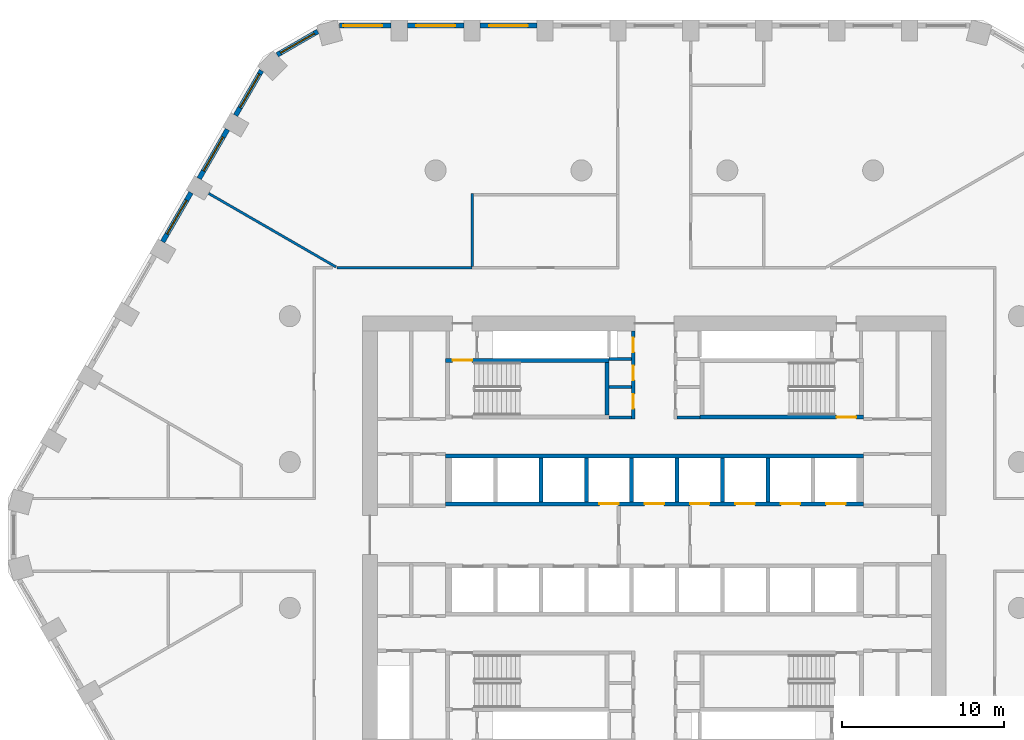
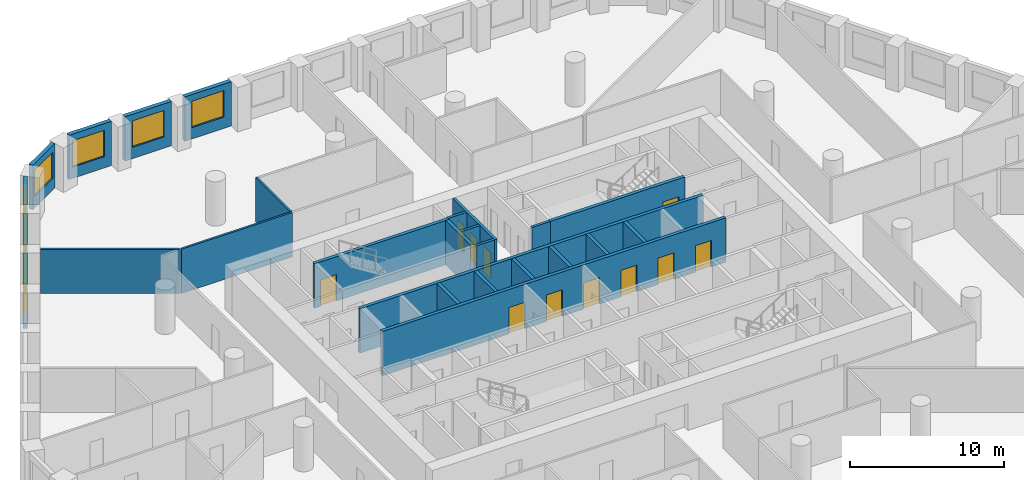
# One storey, part 6 of 10: 26 walls, 11 doors, 7 windows, 18 openings.
"""IFC4 building model written with IfcOpenShell, lengths in metres."""

from ifc_helpers import new_model, si_unit, direction, frame, frame_2d, origin, place, context, subcontext, project, spatial, polyline, rectangle, outline, extrude, material, layer, layer_set, type_object, element, fill, save


model = new_model("IFC4")

# Units and contexts
model_context = context("Model", 3, precision=1e-05, world=origin(), true_north=direction((0.0, 1.0)))
body_context = subcontext(model_context, "Body", "Model", "MODEL_VIEW")
ifc_project = project(units=[si_unit("LENGTHUNIT", "METRE"), si_unit("AREAUNIT", "SQUARE_METRE"), si_unit("VOLUMEUNIT", "CUBIC_METRE"), si_unit("PLANEANGLEUNIT", "RADIAN"), si_unit("MASSUNIT", "GRAM", prefix="KILO")], contexts=[model_context])

# Site, building, storey
site_placement = place(None, origin())
site = spatial("IfcSite", under=ifc_project, at=site_placement, CompositionType="ELEMENT")
building_placement = place(site_placement, origin())
building = spatial("IfcBuilding", under=site, at=building_placement, Name="Dhurran Vertical Campus", CompositionType="ELEMENT")
storey_placement = place(building_placement, frame((0.0, 0.0, 108.60009765625)))
storey = spatial("IfcBuildingStorey", under=building, at=storey_placement, Name="L26", CompositionType="ELEMENT", Elevation=108.60009765625)

# Wall, opening, window
ifc_material_1 = material(Name="Precast concrete C50/60", Category="concrete")
ifc_layer_1 = layer(ifc_material_1, 0.300048828125)
ifc_layer_set_1 = layer_set([ifc_layer_1], Name="Precast concrete C50/60")
wall_type_1 = type_object("IfcWallType", Name="Precast spandrel wall 300", PredefinedType="SOLIDWALL", material=ifc_layer_set_1)
wall_1_placement = place(storey_placement, frame((-7.25048828125, 31.4296875, 0.0), z_axis=(0.0, 0.0, 1.0), x_axis=(-1.0, 0.0, 0.0)))
wall_1 = element("IfcWall", 1, at=wall_1_placement, inside=storey, type_object=wall_type_1, Name="EW1 L26.32", PredefinedType="SOLIDWALL", context=body_context, shape_type="SweptSolid", body=[
    extrude(rectangle(XDim=3.4990234375, YDim=0.300048828125, at=frame_2d((1.74951171875, 0.0))), origin(), (0.0, 0.0, 1.0), 3.52490234375),
])
opening_1_placement = place(wall_1_placement, frame((0.549560546875, 0.0, 0.89990234375)))
opening_1 = element("IfcOpeningElement", 2, at=opening_1_placement, cuts=wall_1, Name="Opening WT1", PredefinedType="OPENING", context=body_context, shape_type="SweptSolid", body=[
    extrude(rectangle(XDim=2.39990234375, YDim=2.10009765625, at=frame_2d((1.199951171875, 1.050048828125))), frame((0.0, 0.159912109375, 0.0), z_axis=(0.0, -1.0, 0.0), x_axis=(1.0, 0.0, 0.0)), (0.0, 0.0, 1.0), 0.320068359375),
])
ifc_material_2 = material(Name="Aluminium frame with solar-control glass", Category="aluminium")
window_type = type_object("IfcWindowType", Name="Punched window 2400 x 2100", PartitioningType="SINGLE_PANEL", PredefinedType="WINDOW", material=ifc_material_2)
window_1_placement = place(opening_1_placement, origin())
window_1 = element("IfcWindow", 3, at=window_1_placement, inside=storey, type_object=window_type, Name="WT1 L26.32", OverallHeight=2.10009765625, OverallWidth=2.39990234375, PartitioningType="SINGLE_PANEL", PredefinedType="WINDOW", context=body_context, shape_type="SweptSolid", body=[
    extrude(rectangle(XDim=2.39990234375, YDim=2.10009765625, at=frame_2d((1.199951171875, 1.050048828125))), frame((0.0, 0.030029296875, 0.0), z_axis=(0.0, -1.0, 0.0), x_axis=(1.0, 0.0, 0.0)), (0.0, 0.0, 1.0), 0.06005859375),
])
fill(opening_1, window_1)

wall_2_placement = place(storey_placement, frame((-11.75048828125, 31.4296875, 0.0), z_axis=(0.0, 0.0, 1.0), x_axis=(-1.0, 0.0, 0.0)))
wall_2 = element("IfcWall", 4, at=wall_2_placement, inside=storey, type_object=wall_type_1, Name="EW1 L26.33", PredefinedType="SOLIDWALL", context=body_context, shape_type="SweptSolid", body=[
    extrude(rectangle(XDim=3.4990234375, YDim=0.300048828125, at=frame_2d((1.74951171875, 0.0))), origin(), (0.0, 0.0, 1.0), 3.52490234375),
])
opening_2_placement = place(wall_2_placement, frame((0.549560546875, 0.0, 0.89990234375)))
opening_2 = element("IfcOpeningElement", 5, at=opening_2_placement, cuts=wall_2, Name="Opening WT1", PredefinedType="OPENING", context=body_context, shape_type="SweptSolid", body=[
    extrude(rectangle(XDim=2.39990234375, YDim=2.10009765625, at=frame_2d((1.199951171875, 1.050048828125))), frame((0.0, 0.159912109375, 0.0), z_axis=(0.0, -1.0, 0.0), x_axis=(1.0, 0.0, 0.0)), (0.0, 0.0, 1.0), 0.320068359375),
])
window_2_placement = place(opening_2_placement, origin())
window_2 = element("IfcWindow", 6, at=window_2_placement, inside=storey, type_object=window_type, Name="WT1 L26.33", OverallHeight=2.10009765625, OverallWidth=2.39990234375, PartitioningType="SINGLE_PANEL", PredefinedType="WINDOW", context=body_context, shape_type="SweptSolid", body=[
    extrude(rectangle(XDim=2.39990234375, YDim=2.10009765625, at=frame_2d((1.199951171875, 1.050048828125))), frame((0.0, 0.030029296875, 0.0), z_axis=(0.0, -1.0, 0.0), x_axis=(1.0, 0.0, 0.0)), (0.0, 0.0, 1.0), 0.06005859375),
])
fill(opening_2, window_2)

wall_3_placement = place(storey_placement, frame((-16.25048828125, 31.4296875, 0.0), z_axis=(0.0, 0.0, 1.0), x_axis=(-1.0, 0.0, 0.0)))
wall_3 = element("IfcWall", 7, at=wall_3_placement, inside=storey, type_object=wall_type_1, Name="EW1 L26.34", PredefinedType="SOLIDWALL", context=body_context, shape_type="SweptSolid", body=[
    extrude(rectangle(XDim=3.1923828125, YDim=0.300048828125, at=frame_2d((1.59619140625, 0.0))), origin(), (0.0, 0.0, 1.0), 3.52490234375),
])
opening_3_placement = place(wall_3_placement, frame((0.549560546875, 0.0, 0.89990234375)))
opening_3 = element("IfcOpeningElement", 8, at=opening_3_placement, cuts=wall_3, Name="Opening WT1", PredefinedType="OPENING", context=body_context, shape_type="SweptSolid", body=[
    extrude(rectangle(XDim=2.39990234375, YDim=2.10009765625, at=frame_2d((1.199951171875, 1.050048828125))), frame((0.0, 0.159912109375, 0.0), z_axis=(0.0, -1.0, 0.0), x_axis=(1.0, 0.0, 0.0)), (0.0, 0.0, 1.0), 0.320068359375),
])
window_3_placement = place(opening_3_placement, origin())
window_3 = element("IfcWindow", 9, at=window_3_placement, inside=storey, type_object=window_type, Name="WT1 L26.34", OverallHeight=2.10009765625, OverallWidth=2.39990234375, PartitioningType="SINGLE_PANEL", PredefinedType="WINDOW", context=body_context, shape_type="SweptSolid", body=[
    extrude(rectangle(XDim=2.39990234375, YDim=2.10009765625, at=frame_2d((1.199951171875, 1.050048828125))), frame((0.0, 0.030029296875, 0.0), z_axis=(0.0, -1.0, 0.0), x_axis=(1.0, 0.0, 0.0)), (0.0, 0.0, 1.0), 0.06005859375),
])
fill(opening_3, window_3)

wall_4_placement = place(storey_placement, frame((-20.774169921875, 31.072998046875, 0.0), z_axis=(0.0, 0.0, 1.0), x_axis=(-0.866053149362, -0.49995194017, 0.0)))
wall_4 = element("IfcWall", 10, at=wall_4_placement, inside=storey, type_object=wall_type_1, Name="EW1 L26.35", PredefinedType="SOLIDWALL", context=body_context, shape_type="SweptSolid", body=[
    extrude(rectangle(XDim=2.885498046875, YDim=0.300048828125, at=frame_2d((1.44287109375, 0.0))), origin(), (0.0, 0.0, 1.0), 3.52490234375),
])
opening_4_placement = place(wall_4_placement, frame((0.242919921875, 0.0, 0.89990234375)))
opening_4 = element("IfcOpeningElement", 11, at=opening_4_placement, cuts=wall_4, Name="Opening WT1", PredefinedType="OPENING", context=body_context, shape_type="SweptSolid", body=[
    extrude(rectangle(XDim=2.39990234375, YDim=2.10009765625, at=frame_2d((1.199951171875, 1.050048828125))), frame((0.0, 0.159912109375, 0.0), z_axis=(0.0, -1.0, 0.0), x_axis=(1.0, 0.0, 0.0)), (0.0, 0.0, 1.0), 0.320068359375),
])
window_4_placement = place(opening_4_placement, origin())
window_4 = element("IfcWindow", 12, at=window_4_placement, inside=storey, type_object=window_type, Name="WT1 L26.35", OverallHeight=2.10009765625, OverallWidth=2.39990234375, PartitioningType="SINGLE_PANEL", PredefinedType="WINDOW", context=body_context, shape_type="SweptSolid", body=[
    extrude(rectangle(XDim=2.39990234375, YDim=2.10009765625, at=frame_2d((1.199951171875, 1.050048828125))), frame((0.0, 0.030029296875, 0.0), z_axis=(0.0, -1.0, 0.0), x_axis=(1.0, 0.0, 0.0)), (0.0, 0.0, 1.0), 0.06005859375),
])
fill(opening_4, window_4)

wall_5_placement = place(storey_placement, frame((-24.24755859375, 28.65576171875, 0.0), z_axis=(0.0, 0.0, 1.0), x_axis=(-0.500004907028, -0.866022570692, 0.0)))
wall_5 = element("IfcWall", 13, at=wall_5_placement, inside=storey, type_object=wall_type_1, Name="EW1 L26.36", PredefinedType="SOLIDWALL", context=body_context, shape_type="SweptSolid", body=[
    extrude(rectangle(XDim=3.1923828125, YDim=0.300048828125, at=frame_2d((1.59619140625, 0.0))), origin(), (0.0, 0.0, 1.0), 3.52490234375),
])
opening_5_placement = place(wall_5_placement, frame((0.242919921875, 0.0, 0.89990234375)))
opening_5 = element("IfcOpeningElement", 14, at=opening_5_placement, cuts=wall_5, Name="Opening WT1", PredefinedType="OPENING", context=body_context, shape_type="SweptSolid", body=[
    extrude(rectangle(XDim=2.39990234375, YDim=2.10009765625, at=frame_2d((1.199951171875, 1.050048828125))), frame((0.0, 0.159912109375, 0.0), z_axis=(0.0, -1.0, 0.0), x_axis=(1.0, 0.0, 0.0)), (0.0, 0.0, 1.0), 0.320068359375),
])
window_5_placement = place(opening_5_placement, origin())
window_5 = element("IfcWindow", 15, at=window_5_placement, inside=storey, type_object=window_type, Name="WT1 L26.36", OverallHeight=2.10009765625, OverallWidth=2.39990234375, PartitioningType="SINGLE_PANEL", PredefinedType="WINDOW", context=body_context, shape_type="SweptSolid", body=[
    extrude(rectangle(XDim=2.39990234375, YDim=2.10009765625, at=frame_2d((1.199951171875, 1.050048828125))), frame((0.0, 0.030029296875, 0.0), z_axis=(0.0, -1.0, 0.0), x_axis=(1.0, 0.0, 0.0)), (0.0, 0.0, 1.0), 0.06005859375),
])
fill(opening_5, window_5)

wall_6_placement = place(storey_placement, frame((-26.34423828125, 25.024169921875, 0.0), z_axis=(0.0, 0.0, 1.0), x_axis=(-0.499996256241, -0.866027565234, 0.0)))
wall_6 = element("IfcWall", 16, at=wall_6_placement, inside=storey, type_object=wall_type_1, Name="EW1 L26.37", PredefinedType="SOLIDWALL", context=body_context, shape_type="SweptSolid", body=[
    extrude(rectangle(XDim=3.4990234375, YDim=0.300048828125, at=frame_2d((1.74951171875, 0.0))), origin(), (0.0, 0.0, 1.0), 3.52490234375),
])
opening_6_placement = place(wall_6_placement, frame((0.549560546875, 0.0, 0.89990234375)))
opening_6 = element("IfcOpeningElement", 17, at=opening_6_placement, cuts=wall_6, Name="Opening WT1", PredefinedType="OPENING", context=body_context, shape_type="SweptSolid", body=[
    extrude(rectangle(XDim=2.39990234375, YDim=2.10009765625, at=frame_2d((1.199951171875, 1.050048828125))), frame((0.0, 0.159912109375, 0.0), z_axis=(0.0, -1.0, 0.0), x_axis=(1.0, 0.0, 0.0)), (0.0, 0.0, 1.0), 0.320068359375),
])
window_6_placement = place(opening_6_placement, origin())
window_6 = element("IfcWindow", 18, at=window_6_placement, inside=storey, type_object=window_type, Name="WT1 L26.37", OverallHeight=2.10009765625, OverallWidth=2.39990234375, PartitioningType="SINGLE_PANEL", PredefinedType="WINDOW", context=body_context, shape_type="SweptSolid", body=[
    extrude(rectangle(XDim=2.39990234375, YDim=2.10009765625, at=frame_2d((1.199951171875, 1.050048828125))), frame((0.0, 0.030029296875, 0.0), z_axis=(0.0, -1.0, 0.0), x_axis=(1.0, 0.0, 0.0)), (0.0, 0.0, 1.0), 0.06005859375),
])
fill(opening_6, window_6)

wall_7_placement = place(storey_placement, frame((-28.59423828125, 21.127197265625, 0.0), z_axis=(0.0, 0.0, 1.0), x_axis=(-0.499996256241, -0.866027565234, 0.0)))
wall_7 = element("IfcWall", 19, at=wall_7_placement, inside=storey, type_object=wall_type_1, Name="EW1 L26.38", PredefinedType="SOLIDWALL", context=body_context, shape_type="SweptSolid", body=[
    extrude(rectangle(XDim=3.4990234375, YDim=0.300048828125, at=frame_2d((1.74951171875, 0.0))), origin(), (0.0, 0.0, 1.0), 3.52490234375),
])
opening_7_placement = place(wall_7_placement, frame((0.549560546875, 0.0, 0.89990234375)))
opening_7 = element("IfcOpeningElement", 20, at=opening_7_placement, cuts=wall_7, Name="Opening WT1", PredefinedType="OPENING", context=body_context, shape_type="SweptSolid", body=[
    extrude(rectangle(XDim=2.39990234375, YDim=2.10009765625, at=frame_2d((1.199951171875, 1.050048828125))), frame((0.0, 0.159912109375, 0.0), z_axis=(0.0, -1.0, 0.0), x_axis=(1.0, 0.0, 0.0)), (0.0, 0.0, 1.0), 0.320068359375),
])
window_7_placement = place(opening_7_placement, origin())
window_7 = element("IfcWindow", 21, at=window_7_placement, inside=storey, type_object=window_type, Name="WT1 L26.38", OverallHeight=2.10009765625, OverallWidth=2.39990234375, PartitioningType="SINGLE_PANEL", PredefinedType="WINDOW", context=body_context, shape_type="SweptSolid", body=[
    extrude(rectangle(XDim=2.39990234375, YDim=2.10009765625, at=frame_2d((1.199951171875, 1.050048828125))), frame((0.0, 0.030029296875, 0.0), z_axis=(0.0, -1.0, 0.0), x_axis=(1.0, 0.0, 0.0)), (0.0, 0.0, 1.0), 0.06005859375),
])
fill(opening_7, window_7)

# Walls
ifc_material_3 = material(Name="Fire-rated masonry blockwork", Category="masonry")
ifc_layer_2 = layer(ifc_material_3, 0.199951171875)
ifc_layer_set_2 = layer_set([ifc_layer_2], Name="Fire-rated masonry blockwork")
wall_type_2 = type_object("IfcWallType", Name="co-FIRE-PARTITION-200", PredefinedType="PARTITIONING", material=ifc_layer_set_2)
for number, where, z_axis, x_axis, name in (
    (22, (-2.800048828125, 7.25, 0.0), (0.0, 0.0, 1.0), (1.0, 0.0, 0.0), "Core partition sl-NW-S L26"),
    (23, (-2.800048828125, 9.135009765625, 0.0), (0.0, 0.0, 1.0), (1.0, 0.0, 0.0), "Core partition sl-NW-cut0 L26"),
    (24, (-2.800048828125, 10.867431640625, 0.0), (0.0, 0.0, 1.0), (1.0, 0.0, 0.0), "Core partition sl-NW-cut1 L26"),
    (25, (1.39990234375, 7.25, 0.0), (0.0, 0.0, 1.0), (1.0, 0.0, 0.0), "Core partition sl-NE-S L26"),
):
    element("IfcWall", number, at=place(storey_placement, frame(where, z_axis=z_axis, x_axis=x_axis)), inside=storey, type_object=wall_type_2, Name=name, PredefinedType="PARTITIONING", context=body_context, shape_type="SweptSolid", body=[
        extrude(rectangle(XDim=1.400146484375, YDim=0.199951171875, at=frame_2d((0.7001953125, 0.0))), origin(), (0.0, 0.0, 1.0), 3.52490234375),
    ])

# Wall, openings, doors
wall_8_placement = place(storey_placement, frame((-1.300048828125, 7.14990234375, 0.0), z_axis=(0.0, 0.0, 1.0), x_axis=(0.0, 1.0, 0.0)))
wall_8 = element("IfcWall", 26, at=wall_8_placement, inside=storey, type_object=wall_type_2, Name="Core partition vest-NW L26", PredefinedType="PARTITIONING", context=body_context, shape_type="SweptSolid", body=[
    extrude(rectangle(XDim=5.4501953125, YDim=0.199951171875, at=frame_2d((2.72509765625, 0.0))), origin(), (0.0, 0.0, 1.0), 3.52490234375),
])
opening_8_placement = place(wall_8_placement, frame((0.642578125, 0.0, 0.0)))
opening_8 = element("IfcOpeningElement", 27, at=opening_8_placement, cuts=wall_8, Name="Opening T07-C7", PredefinedType="OPENING", context=body_context, shape_type="SweptSolid", body=[
    extrude(rectangle(XDim=0.89990234375, YDim=2.10009765625, at=frame_2d((0.449951171875, 1.050048828125))), frame((0.0, 0.10986328125, 0.0), z_axis=(0.0, -1.0, 0.0), x_axis=(1.0, 0.0, 0.0)), (0.0, 0.0, 1.0), 0.219970703125),
])
opening_9_placement = place(wall_8_placement, frame((2.401123046875, 0.0, 0.0)))
opening_9 = element("IfcOpeningElement", 28, at=opening_9_placement, cuts=wall_8, Name="Opening T07-C8", PredefinedType="OPENING", context=body_context, shape_type="SweptSolid", body=[
    extrude(rectangle(XDim=0.89990234375, YDim=2.10009765625, at=frame_2d((0.449951171875, 1.050048828125))), frame((0.0, 0.10986328125, 0.0), z_axis=(0.0, -1.0, 0.0), x_axis=(1.0, 0.0, 0.0)), (0.0, 0.0, 1.0), 0.219970703125),
])
opening_10_placement = place(wall_8_placement, frame((4.1337890625, 0.0, 0.0)))
opening_10 = element("IfcOpeningElement", 29, at=opening_10_placement, cuts=wall_8, Name="Opening T07-C9", PredefinedType="OPENING", context=body_context, shape_type="SweptSolid", body=[
    extrude(rectangle(XDim=0.89990234375, YDim=2.10009765625, at=frame_2d((0.449951171875, 1.050048828125))), frame((0.0, 0.10986328125, 0.0), z_axis=(0.0, -1.0, 0.0), x_axis=(1.0, 0.0, 0.0)), (0.0, 0.0, 1.0), 0.219970703125),
])
ifc_material_4 = material(Name="Fire-rated timber door set", Category="wood")
door_type_1 = type_object("IfcDoorType", Name="co-D-ROOM 900x2100", OperationType="SINGLE_SWING_LEFT", PredefinedType="DOOR", material=ifc_material_4)
door_1_placement = place(opening_8_placement, origin())
door_1 = element("IfcDoor", 30, at=door_1_placement, inside=storey, type_object=door_type_1, Name="Plant room door L26", OperationType="SINGLE_SWING_LEFT", OverallHeight=2.10009765625, OverallWidth=0.89990234375, PredefinedType="DOOR", context=body_context, shape_type="SweptSolid", body=[
    extrude(rectangle(XDim=0.89990234375, YDim=2.10009765625, at=frame_2d((0.449951171875, 1.050048828125))), frame((0.0, 0.02490234375, 0.0), z_axis=(0.0, -1.0, 0.0), x_axis=(1.0, 0.0, 0.0)), (0.0, 0.0, 1.0), 0.050048828125),
])
fill(opening_8, door_1)
door_2_placement = place(opening_9_placement, origin())
door_2 = element("IfcDoor", 31, at=door_2_placement, inside=storey, type_object=door_type_1, Name="Communications room door L26", OperationType="SINGLE_SWING_LEFT", OverallHeight=2.10009765625, OverallWidth=0.89990234375, PredefinedType="DOOR", context=body_context, shape_type="SweptSolid", body=[
    extrude(rectangle(XDim=0.89990234375, YDim=2.10009765625, at=frame_2d((0.449951171875, 1.050048828125))), frame((0.0, 0.02490234375, 0.0), z_axis=(0.0, -1.0, 0.0), x_axis=(1.0, 0.0, 0.0)), (0.0, 0.0, 1.0), 0.050048828125),
])
fill(opening_9, door_2)
door_3_placement = place(opening_10_placement, origin())
door_3 = element("IfcDoor", 32, at=door_3_placement, inside=storey, type_object=door_type_1, Name="Water riser door L26", OperationType="SINGLE_SWING_LEFT", OverallHeight=2.10009765625, OverallWidth=0.89990234375, PredefinedType="DOOR", context=body_context, shape_type="SweptSolid", body=[
    extrude(rectangle(XDim=0.89990234375, YDim=2.10009765625, at=frame_2d((0.449951171875, 1.050048828125))), frame((0.0, 0.02490234375, 0.0), z_axis=(0.0, -1.0, 0.0), x_axis=(1.0, 0.0, 0.0)), (0.0, 0.0, 1.0), 0.050048828125),
])
fill(opening_10, door_3)

ifc_material_5 = material(Name="Concrete C50/60", Category="concrete")
ifc_layer_3 = layer(ifc_material_5, 0.25)
ifc_layer_set_3 = layer_set([ifc_layer_3], Name="Concrete C50/60")
wall_type_3 = type_object("IfcWallType", Name="co-SHAFT-FRONT-250", PredefinedType="SHEAR", material=ifc_layer_set_3)
wall_9_placement = place(storey_placement, frame((-12.89990234375, 1.925048828125, 0.0), z_axis=(0.0, 0.0, 1.0), x_axis=(1.0, 0.0, 0.0)))
wall_9 = element("IfcWall", 33, at=wall_9_placement, inside=storey, type_object=wall_type_3, Name="Lift landing wall N L26", PredefinedType="SHEAR", context=body_context, shape_type="SweptSolid", body=[
    extrude(rectangle(XDim=25.7998046875, YDim=0.25, at=frame_2d((12.89990234375, 0.0))), origin(), (0.0, 0.0, 1.0), 3.52490234375),
])
opening_11_placement = place(wall_9_placement, frame((9.5, 0.0, 0.0)))
opening_11 = element("IfcOpeningElement", 34, at=opening_11_placement, cuts=wall_9, Name="Opening LD", PredefinedType="OPENING", context=body_context, shape_type="SweptSolid", body=[
    extrude(rectangle(XDim=1.199951171875, YDim=2.10009765625, at=frame_2d((0.60009765625, 1.050048828125))), frame((0.0, 0.135009765625, 0.0), z_axis=(0.0, -1.0, 0.0), x_axis=(1.0, 0.0, 0.0)), (0.0, 0.0, 1.0), 0.27001953125),
])
opening_12_placement = place(wall_9_placement, frame((12.300048828125, 0.0, 0.0)))
opening_12 = element("IfcOpeningElement", 35, at=opening_12_placement, cuts=wall_9, Name="Opening LD", PredefinedType="OPENING", context=body_context, shape_type="SweptSolid", body=[
    extrude(rectangle(XDim=1.199951171875, YDim=2.10009765625, at=frame_2d((0.60009765625, 1.050048828125))), frame((0.0, 0.135009765625, 0.0), z_axis=(0.0, -1.0, 0.0), x_axis=(1.0, 0.0, 0.0)), (0.0, 0.0, 1.0), 0.27001953125),
])
opening_13_placement = place(wall_9_placement, frame((15.10009765625, 0.0, 0.0)))
opening_13 = element("IfcOpeningElement", 36, at=opening_13_placement, cuts=wall_9, Name="Opening LD", PredefinedType="OPENING", context=body_context, shape_type="SweptSolid", body=[
    extrude(rectangle(XDim=1.199951171875, YDim=2.10009765625, at=frame_2d((0.60009765625, 1.050048828125))), frame((0.0, 0.135009765625, 0.0), z_axis=(0.0, -1.0, 0.0), x_axis=(1.0, 0.0, 0.0)), (0.0, 0.0, 1.0), 0.27001953125),
])
opening_14_placement = place(wall_9_placement, frame((17.89990234375, 0.0, 0.0)))
opening_14 = element("IfcOpeningElement", 37, at=opening_14_placement, cuts=wall_9, Name="Opening LD", PredefinedType="OPENING", context=body_context, shape_type="SweptSolid", body=[
    extrude(rectangle(XDim=1.199951171875, YDim=2.10009765625, at=frame_2d((0.60009765625, 1.050048828125))), frame((0.0, 0.135009765625, 0.0), z_axis=(0.0, -1.0, 0.0), x_axis=(1.0, 0.0, 0.0)), (0.0, 0.0, 1.0), 0.27001953125),
])
opening_15_placement = place(wall_9_placement, frame((20.699951171875, 0.0, 0.0)))
opening_15 = element("IfcOpeningElement", 38, at=opening_15_placement, cuts=wall_9, Name="Opening LD", PredefinedType="OPENING", context=body_context, shape_type="SweptSolid", body=[
    extrude(rectangle(XDim=1.199951171875, YDim=2.10009765625, at=frame_2d((0.60009765625, 1.050048828125))), frame((0.0, 0.135009765625, 0.0), z_axis=(0.0, -1.0, 0.0), x_axis=(1.0, 0.0, 0.0)), (0.0, 0.0, 1.0), 0.27001953125),
])
opening_16_placement = place(wall_9_placement, frame((23.5, 0.0, 0.0)))
opening_16 = element("IfcOpeningElement", 39, at=opening_16_placement, cuts=wall_9, Name="Opening LD", PredefinedType="OPENING", context=body_context, shape_type="SweptSolid", body=[
    extrude(rectangle(XDim=1.199951171875, YDim=2.10009765625, at=frame_2d((0.60009765625, 1.050048828125))), frame((0.0, 0.135009765625, 0.0), z_axis=(0.0, -1.0, 0.0), x_axis=(1.0, 0.0, 0.0)), (0.0, 0.0, 1.0), 0.27001953125),
])
ifc_material_6 = material(Name="Stainless steel landing door", Category="steel")
door_type_2 = type_object("IfcDoorType", Name="co-D-LANDING 1200x2100", OperationType="DOUBLE_DOOR_SLIDING", PredefinedType="DOOR", material=ifc_material_6)
door_4_placement = place(opening_11_placement, origin())
door_4 = element("IfcDoor", 40, at=door_4_placement, inside=storey, type_object=door_type_2, Name="Landing door LR1 L26", OperationType="DOUBLE_DOOR_SLIDING", OverallHeight=2.10009765625, OverallWidth=1.199951171875, PredefinedType="DOOR", context=body_context, shape_type="SweptSolid", body=[
    extrude(rectangle(XDim=1.199951171875, YDim=2.10009765625, at=frame_2d((0.60009765625, 1.050048828125))), frame((0.0, 0.02490234375, 0.0), z_axis=(0.0, -1.0, 0.0), x_axis=(1.0, 0.0, 0.0)), (0.0, 0.0, 1.0), 0.050048828125),
])
fill(opening_11, door_4)
door_5_placement = place(opening_12_placement, origin())
door_5 = element("IfcDoor", 41, at=door_5_placement, inside=storey, type_object=door_type_2, Name="Landing door FF1 L26", OperationType="DOUBLE_DOOR_SLIDING", OverallHeight=2.10009765625, OverallWidth=1.199951171875, PredefinedType="DOOR", context=body_context, shape_type="SweptSolid", body=[
    extrude(rectangle(XDim=1.199951171875, YDim=2.10009765625, at=frame_2d((0.60009765625, 1.050048828125))), frame((0.0, 0.02490234375, 0.0), z_axis=(0.0, -1.0, 0.0), x_axis=(1.0, 0.0, 0.0)), (0.0, 0.0, 1.0), 0.050048828125),
])
fill(opening_12, door_5)
door_6_placement = place(opening_13_placement, origin())
door_6 = element("IfcDoor", 42, at=door_6_placement, inside=storey, type_object=door_type_2, Name="Landing door LR2 L26", OperationType="DOUBLE_DOOR_SLIDING", OverallHeight=2.10009765625, OverallWidth=1.199951171875, PredefinedType="DOOR", context=body_context, shape_type="SweptSolid", body=[
    extrude(rectangle(XDim=1.199951171875, YDim=2.10009765625, at=frame_2d((0.60009765625, 1.050048828125))), frame((0.0, 0.02490234375, 0.0), z_axis=(0.0, -1.0, 0.0), x_axis=(1.0, 0.0, 0.0)), (0.0, 0.0, 1.0), 0.050048828125),
])
fill(opening_13, door_6)
door_7_placement = place(opening_14_placement, origin())
door_7 = element("IfcDoor", 43, at=door_7_placement, inside=storey, type_object=door_type_2, Name="Landing door LR3 L26", OperationType="DOUBLE_DOOR_SLIDING", OverallHeight=2.10009765625, OverallWidth=1.199951171875, PredefinedType="DOOR", context=body_context, shape_type="SweptSolid", body=[
    extrude(rectangle(XDim=1.199951171875, YDim=2.10009765625, at=frame_2d((0.60009765625, 1.050048828125))), frame((0.0, 0.02490234375, 0.0), z_axis=(0.0, -1.0, 0.0), x_axis=(1.0, 0.0, 0.0)), (0.0, 0.0, 1.0), 0.050048828125),
])
fill(opening_14, door_7)
door_8_placement = place(opening_15_placement, origin())
door_8 = element("IfcDoor", 44, at=door_8_placement, inside=storey, type_object=door_type_2, Name="Landing door LR4 L26", OperationType="DOUBLE_DOOR_SLIDING", OverallHeight=2.10009765625, OverallWidth=1.199951171875, PredefinedType="DOOR", context=body_context, shape_type="SweptSolid", body=[
    extrude(rectangle(XDim=1.199951171875, YDim=2.10009765625, at=frame_2d((0.60009765625, 1.050048828125))), frame((0.0, 0.02490234375, 0.0), z_axis=(0.0, -1.0, 0.0), x_axis=(1.0, 0.0, 0.0)), (0.0, 0.0, 1.0), 0.050048828125),
])
fill(opening_15, door_8)
door_9_placement = place(opening_16_placement, origin())
door_9 = element("IfcDoor", 45, at=door_9_placement, inside=storey, type_object=door_type_2, Name="Landing door SV2 L26", OperationType="DOUBLE_DOOR_SLIDING", OverallHeight=2.10009765625, OverallWidth=1.199951171875, PredefinedType="DOOR", context=body_context, shape_type="SweptSolid", body=[
    extrude(rectangle(XDim=1.199951171875, YDim=2.10009765625, at=frame_2d((0.60009765625, 1.050048828125))), frame((0.0, 0.02490234375, 0.0), z_axis=(0.0, -1.0, 0.0), x_axis=(1.0, 0.0, 0.0)), (0.0, 0.0, 1.0), 0.050048828125),
])
fill(opening_16, door_9)

# Walls
ifc_material_7 = material(Name="Concrete C50/60", Category="concrete")
ifc_layer_4 = layer(ifc_material_7, 0.25)
ifc_layer_set_4 = layer_set([ifc_layer_4], Name="Concrete C50/60")
wall_type_4 = type_object("IfcWallType", Name="co-SHAFT-MASS-250", PredefinedType="SHEAR", material=ifc_layer_set_4)
wall_10_placement = place(storey_placement, origin())
element("IfcWall", 46, at=wall_10_placement, inside=storey, type_object=wall_type_4, Name="Lift shaft wall N L26 1", PredefinedType="SHEAR", context=body_context, shape_type="SweptSolid", body=[
    extrude(outline(polyline([(-12.89990234375, 4.75), (12.89990234375, 4.75), (12.89990234375, 5.0), (-12.89990234375, 5.0), (-12.89990234375, 4.75)])), origin(), (0.0, 0.0, 1.0), 3.52490234375),
])
wall_11_placement = place(storey_placement, origin())
element("IfcWall", 47, at=wall_11_placement, inside=storey, type_object=wall_type_4, Name="Lift shaft wall N L26 4", PredefinedType="SHEAR", context=body_context, shape_type="SweptSolid", body=[
    extrude(outline(polyline([(-7.125, 2.050048828125), (-6.875, 2.050048828125), (-6.875, 4.75), (-7.125, 4.75), (-7.125, 2.050048828125)])), origin(), (0.0, 0.0, 1.0), 3.52490234375),
])
wall_12_placement = place(storey_placement, origin())
element("IfcWall", 48, at=wall_12_placement, inside=storey, type_object=wall_type_4, Name="Lift shaft wall N L26 5", PredefinedType="SHEAR", context=body_context, shape_type="SweptSolid", body=[
    extrude(outline(polyline([(-4.324951171875, 2.050048828125), (-4.074951171875, 2.050048828125), (-4.074951171875, 4.75), (-4.324951171875, 4.75), (-4.324951171875, 2.050048828125)])), origin(), (0.0, 0.0, 1.0), 3.52490234375),
])
wall_13_placement = place(storey_placement, origin())
element("IfcWall", 49, at=wall_13_placement, inside=storey, type_object=wall_type_4, Name="Lift shaft wall N L26 6", PredefinedType="SHEAR", context=body_context, shape_type="SweptSolid", body=[
    extrude(outline(polyline([(-1.52490234375, 2.050048828125), (-1.27490234375, 2.050048828125), (-1.27490234375, 4.75), (-1.52490234375, 4.75), (-1.52490234375, 2.050048828125)])), origin(), (0.0, 0.0, 1.0), 3.52490234375),
])
wall_14_placement = place(storey_placement, origin())
element("IfcWall", 50, at=wall_14_placement, inside=storey, type_object=wall_type_4, Name="Lift shaft wall N L26 7", PredefinedType="SHEAR", context=body_context, shape_type="SweptSolid", body=[
    extrude(outline(polyline([(1.27490234375, 2.050048828125), (1.52490234375, 2.050048828125), (1.52490234375, 4.75), (1.27490234375, 4.75), (1.27490234375, 2.050048828125)])), origin(), (0.0, 0.0, 1.0), 3.52490234375),
])
wall_15_placement = place(storey_placement, origin())
element("IfcWall", 51, at=wall_15_placement, inside=storey, type_object=wall_type_4, Name="Lift shaft wall N L26 8", PredefinedType="SHEAR", context=body_context, shape_type="SweptSolid", body=[
    extrude(outline(polyline([(4.074951171875, 2.050048828125), (4.324951171875, 2.050048828125), (4.324951171875, 4.75), (4.074951171875, 4.75), (4.074951171875, 2.050048828125)])), origin(), (0.0, 0.0, 1.0), 3.52490234375),
])
wall_16_placement = place(storey_placement, origin())
element("IfcWall", 52, at=wall_16_placement, inside=storey, type_object=wall_type_4, Name="Lift shaft wall N L26 9", PredefinedType="SHEAR", context=body_context, shape_type="SweptSolid", body=[
    extrude(outline(polyline([(6.875, 2.050048828125), (7.125, 2.050048828125), (7.125, 4.75), (6.875, 4.75), (6.875, 2.050048828125)])), origin(), (0.0, 0.0, 1.0), 3.52490234375),
])

# Wall, opening, door
ifc_material_8 = material(Name="Concrete C40/50", Category="concrete")
ifc_layer_5 = layer(ifc_material_8, 0.25)
ifc_layer_set_5 = layer_set([ifc_layer_5], Name="Concrete C40/50")
wall_type_5 = type_object("IfcWallType", Name="co-STAIR-WALL-250", PredefinedType="SHEAR", material=ifc_layer_set_5)
wall_17_placement = place(storey_placement, frame((-12.89990234375, 10.77490234375, 0.0), z_axis=(0.0, 0.0, 1.0), x_axis=(1.0, 0.0, 0.0)))
wall_17 = element("IfcWall", 53, at=wall_17_placement, inside=storey, type_object=wall_type_5, Name="Stair ST1 enclosure wall L26", PredefinedType="SHEAR", context=body_context, shape_type="SweptSolid", body=[
    extrude(rectangle(XDim=10.099853515625, YDim=0.25, at=frame_2d((5.0498046875, 0.0))), origin(), (0.0, 0.0, 1.0), 3.52490234375),
])
opening_17_placement = place(wall_17_placement, frame((0.449951171875, 0.0, 0.0)))
opening_17 = element("IfcOpeningElement", 54, at=opening_17_placement, cuts=wall_17, Name="Opening XS1", PredefinedType="OPENING", context=body_context, shape_type="SweptSolid", body=[
    extrude(rectangle(XDim=1.199951171875, YDim=2.10009765625, at=frame_2d((0.60009765625, 1.050048828125))), frame((0.0, 0.135009765625, 0.0), z_axis=(0.0, -1.0, 0.0), x_axis=(1.0, 0.0, 0.0)), (0.0, 0.0, 1.0), 0.27001953125),
])
ifc_material_9 = material(Name="Fire-rated steel door set", Category="steel")
door_type_3 = type_object("IfcDoorType", Name="co-D-STAIR-EXIT 1200x2100", OperationType="SINGLE_SWING_RIGHT", PredefinedType="DOOR", material=ifc_material_9)
door_10_placement = place(opening_17_placement, origin())
door_10 = element("IfcDoor", 55, at=door_10_placement, inside=storey, type_object=door_type_3, Name="Stair ST1 discharge door L26", OperationType="SINGLE_SWING_RIGHT", OverallHeight=2.10009765625, OverallWidth=1.199951171875, PredefinedType="DOOR", context=body_context, shape_type="SweptSolid", body=[
    extrude(rectangle(XDim=1.199951171875, YDim=2.10009765625, at=frame_2d((0.60009765625, 1.050048828125))), frame((0.0, 0.02490234375, 0.0), z_axis=(0.0, -1.0, 0.0), x_axis=(1.0, 0.0, 0.0)), (0.0, 0.0, 1.0), 0.050048828125),
])
fill(opening_17, door_10)

# Wall
wall_18_placement = place(storey_placement, frame((-2.925048828125, 7.39990234375, 0.0), z_axis=(0.0, 0.0, 1.0), x_axis=(0.0, 1.0, 0.0)))
element("IfcWall", 56, at=wall_18_placement, inside=storey, type_object=wall_type_5, Name="Stair ST1 enclosure wall L26", PredefinedType="SHEAR", context=body_context, shape_type="SweptSolid", body=[
    extrude(rectangle(XDim=3.25, YDim=0.25, at=frame_2d((1.625, 0.0))), origin(), (0.0, 0.0, 1.0), 3.52490234375),
])

# Wall, opening, door
wall_19_placement = place(storey_placement, frame((2.800048828125, 7.27490234375, 0.0), z_axis=(0.0, 0.0, 1.0), x_axis=(1.0, 0.0, 0.0)))
wall_19 = element("IfcWall", 57, at=wall_19_placement, inside=storey, type_object=wall_type_5, Name="Stair ST2 enclosure wall L26", PredefinedType="SHEAR", context=body_context, shape_type="SweptSolid", body=[
    extrude(rectangle(XDim=10.099853515625, YDim=0.25, at=frame_2d((5.0498046875, 0.0))), origin(), (0.0, 0.0, 1.0), 3.52490234375),
])
opening_18_placement = place(wall_19_placement, frame((8.449951171875, 0.0, 0.0)))
opening_18 = element("IfcOpeningElement", 58, at=opening_18_placement, cuts=wall_19, Name="Opening SD2", PredefinedType="OPENING", context=body_context, shape_type="SweptSolid", body=[
    extrude(rectangle(XDim=1.199951171875, YDim=2.10009765625, at=frame_2d((0.60009765625, 1.050048828125))), frame((0.0, 0.135009765625, 0.0), z_axis=(0.0, -1.0, 0.0), x_axis=(1.0, 0.0, 0.0)), (0.0, 0.0, 1.0), 0.27001953125),
])
ifc_material_10 = material(Name="Fire-rated steel door set", Category="steel")
door_type_4 = type_object("IfcDoorType", Name="co-D-STAIR 1200x2100", OperationType="SINGLE_SWING_LEFT", PredefinedType="DOOR", material=ifc_material_10)
door_11_placement = place(opening_18_placement, origin())
door_11 = element("IfcDoor", 59, at=door_11_placement, inside=storey, type_object=door_type_4, Name="Stair ST2 door L26", OperationType="SINGLE_SWING_LEFT", OverallHeight=2.10009765625, OverallWidth=1.199951171875, PredefinedType="DOOR", context=body_context, shape_type="SweptSolid", body=[
    extrude(rectangle(XDim=1.199951171875, YDim=2.10009765625, at=frame_2d((0.60009765625, 1.050048828125))), frame((0.0, 0.02490234375, 0.0), z_axis=(0.0, -1.0, 0.0), x_axis=(1.0, 0.0, 0.0)), (0.0, 0.0, 1.0), 0.050048828125),
])
fill(opening_18, door_11)

# Walls
ifc_material_11 = material(Name="Gypsum board corridor wall on steel studs", Category="steel")
ifc_layer_6 = layer(ifc_material_11, 0.14990234375)
ifc_layer_set_6 = layer_set([ifc_layer_6], Name="Gypsum board corridor wall on steel studs")
wall_type_6 = type_object("IfcWallType", Name="fl-CW-150 corridor wall", PredefinedType="PARTITIONING", material=ifc_layer_set_6)
wall_20_placement = place(storey_placement, frame((-11.25, 16.5, 0.0), z_axis=(0.0, 0.0, 1.0), x_axis=(-1.0, 0.0, 0.0)))
element("IfcWall", 60, at=wall_20_placement, inside=storey, type_object=wall_type_6, Name="Partition 26-22", PredefinedType="PARTITIONING", context=body_context, shape_type="SweptSolid", body=[
    extrude(rectangle(XDim=8.3291015625, YDim=0.14990234375, at=frame_2d((4.16455078125, 0.0))), origin(), (0.0, 0.0, 1.0), 3.52490234375),
])
ifc_material_12 = material(Name="Gypsum board partition on steel studs", Category="steel")
ifc_layer_7 = layer(ifc_material_12, 0.14990234375)
ifc_layer_set_7 = layer_set([ifc_layer_7], Name="Gypsum board partition on steel studs")
wall_type_7 = type_object("IfcWallType", Name="fl-PW-150 fixed partition", PredefinedType="PARTITIONING", material=ifc_layer_set_7)
wall_21_placement = place(storey_placement, frame((-27.503662109375, 21.075927734375, 0.0), z_axis=(0.0, 0.0, 1.0), x_axis=(0.866004606565, -0.500036020111, 0.0)))
element("IfcWall", 61, at=wall_21_placement, inside=storey, type_object=wall_type_7, Name="Partition 26-12", PredefinedType="PARTITIONING", context=body_context, shape_type="SweptSolid", body=[
    extrude(rectangle(XDim=9.075927734375, YDim=0.14990234375, at=frame_2d((4.5380859375, 0.0))), origin(), (0.0, 0.0, 1.0), 3.52490234375),
])
wall_22_placement = place(storey_placement, frame((-11.25, 21.074951171875, 0.0), z_axis=(0.0, 0.0, 1.0), x_axis=(0.0, -1.0, 0.0)))
element("IfcWall", 62, at=wall_22_placement, inside=storey, type_object=wall_type_7, Name="Partition 26-26", PredefinedType="PARTITIONING", context=body_context, shape_type="SweptSolid", body=[
    extrude(rectangle(XDim=4.5, YDim=0.14990234375, at=frame_2d((2.25, 0.0))), origin(), (0.0, 0.0, 1.0), 3.52490234375),
])

save(model, "model.ifc")
